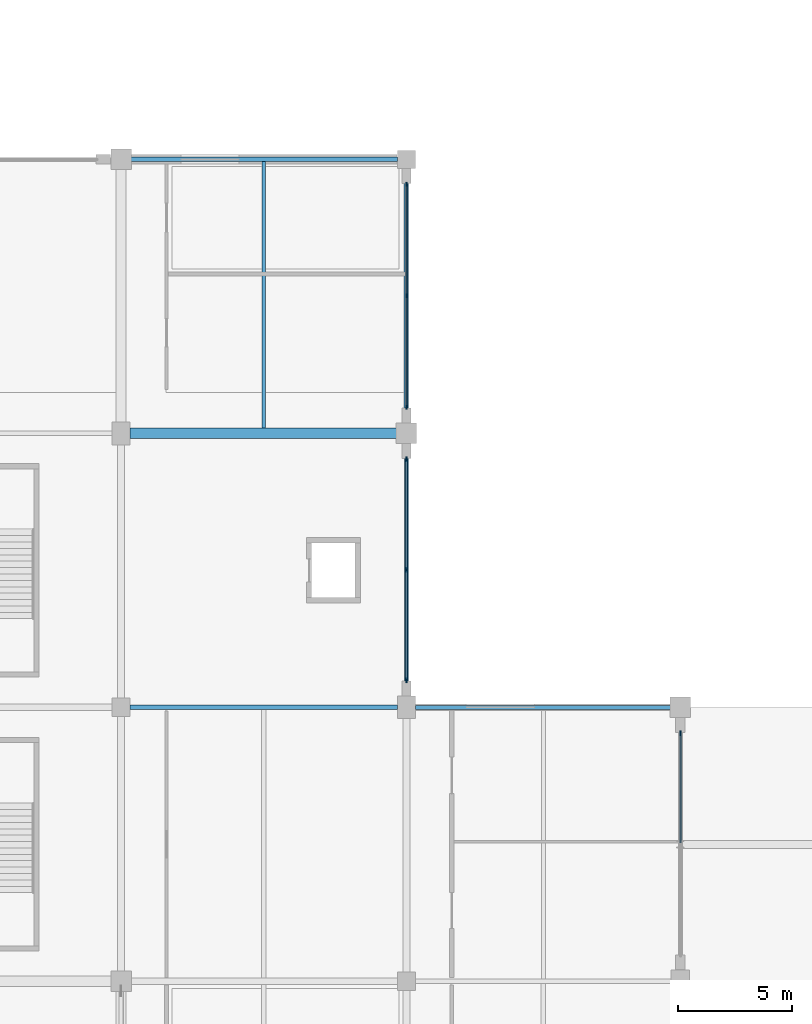
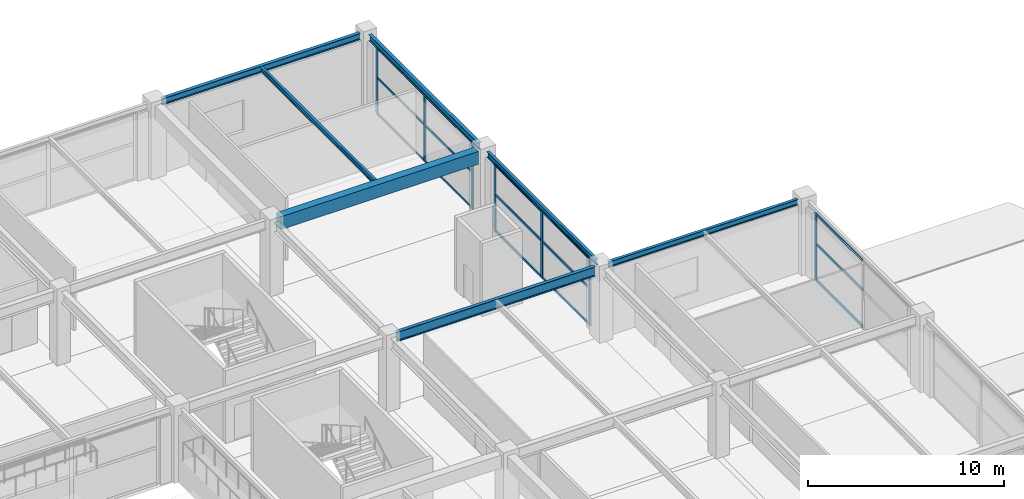
# One storey, part 64 of 134: 22 members, 7 beams, 3 elements without a shape of their own.
"""IFC4 building model written with IfcOpenShell, lengths in metres."""

import ifcopenshell
import ifcopenshell.guid

model = None  # the IFC model being written
_history = None  # IfcOwnerHistory: only IFC2X3 demands one
_inside = {}  # id of a spatial element -> (the spatial element, [elements in it])
_under = {}  # id of a project, library or spatial element -> (it, [spatial elements below it])
_declared = {}  # id of a project -> (the project, [libraries it declares])
_typed = {}  # id of a type object -> (the type object, [elements of that type])
_made_of = {}  # id of a material, layer set ... -> (it, [elements and type objects made of it])


def new_model(schema):
    """Start an empty IFC model of exactly this schema.

    Asked for "IFC4X3", IfcOpenShell would pick the latest addendum, in which some entities
    have other attributes; the version numbers below select the first issue.
    IFC2X3 requires an IfcOwnerHistory on every rooted entity: one is made here for all.
    """
    global model, _history
    if schema == "IFC4X3":
        model = ifcopenshell.file(schema_version=(4, 3, 0, 0))
    else:
        model = ifcopenshell.file(schema=schema)
    _inside.clear()
    _under.clear()
    _declared.clear()
    _typed.clear()
    _made_of.clear()
    _history = None
    if model.schema == "IFC2X3":
        org = make("IfcOrganization", Name="unknown")
        user = make(
            "IfcPersonAndOrganization",
            ThePerson=make("IfcPerson", FamilyName="unknown"),
            TheOrganization=org,
        )
        app = make(
            "IfcApplication",
            ApplicationDeveloper=org,
            Version="unknown",
            ApplicationFullName="unknown",
            ApplicationIdentifier="unknown",
        )
        _history = make(
            "IfcOwnerHistory",
            OwningUser=user,
            OwningApplication=app,
            ChangeAction="ADDED",
            CreationDate=0,
        )
    return model


def make(cls, **values):
    """One entity of the class cls with the attributes given. An attribute that is None is left unset."""
    return model.create_entity(
        cls, **{name: value for name, value in values.items() if value is not None}
    )


def rooted(cls, **values):
    """An entity with a GlobalId (a new one), such as an element, a storey or a relation."""
    return make(cls, GlobalId=ifcopenshell.guid.new(), OwnerHistory=_history, **values)


def si_unit(unit_type, name, prefix=None):
    """IfcSIUnit, for example si_unit("LENGTHUNIT", "METRE", prefix="MILLI")."""
    return make("IfcSIUnit", UnitType=unit_type, Prefix=prefix, Name=name)


def assignment(units):
    """IfcUnitAssignment: the units of a project."""
    return None if units is None else make("IfcUnitAssignment", Units=units)


def point(xyz):
    """IfcCartesianPoint."""
    return None if xyz is None else make("IfcCartesianPoint", Coordinates=xyz)


def direction(xyz):
    """IfcDirection."""
    return None if xyz is None else make("IfcDirection", DirectionRatios=xyz)


def frame(location, z_axis=None, x_axis=None):
    """IfcAxis2Placement3D, a coordinate frame: its origin and axes. An axis left out is left unset."""
    return make(
        "IfcAxis2Placement3D",
        Location=point(location),
        Axis=direction(z_axis),
        RefDirection=direction(x_axis),
    )


def frame_2d(location, x_axis=None):
    """IfcAxis2Placement2D, a coordinate frame in the plane: its origin and x axis."""
    return make(
        "IfcAxis2Placement2D", Location=point(location), RefDirection=direction(x_axis)
    )


def origin():
    """The frame at (0, 0, 0) with its axes left unset."""
    return frame((0.0, 0.0, 0.0))


def origin_2d():
    """The frame at (0, 0) in the plane with its x axis left unset."""
    return frame_2d((0.0, 0.0))


def place(relative_to, where):
    """IfcLocalPlacement: puts the frame where relative to a parent placement (None: the world)."""
    return make(
        "IfcLocalPlacement", PlacementRelTo=relative_to, RelativePlacement=where
    )


def context(
    kind, dimensions, precision=None, world=None, true_north=None, identifier=None
):
    """IfcGeometricRepresentationContext, for example the 3D "Model" context."""
    return make(
        "IfcGeometricRepresentationContext",
        ContextIdentifier=identifier,
        ContextType=kind,
        CoordinateSpaceDimension=dimensions,
        Precision=precision,
        WorldCoordinateSystem=world,
        TrueNorth=true_north,
    )


def subcontext(parent, identifier, kind, view, scale=None):
    """IfcGeometricRepresentationSubContext, for example "Body" below "Model"."""
    return make(
        "IfcGeometricRepresentationSubContext",
        ContextIdentifier=identifier,
        ContextType=kind,
        ParentContext=parent,
        TargetScale=scale,
        TargetView=view,
    )


def project(units=None, contexts=None):
    """IfcProject with its units and contexts."""
    return rooted(
        "IfcProject",
        Name="project",
        RepresentationContexts=contexts,
        UnitsInContext=assignment(units),
    )


def spatial(cls, under=None, at=None, **own):
    """A site, building, storey or space (cls), placed at a placement, below another one or the project."""
    s = rooted(cls, ObjectPlacement=at, **own)
    if under is not None:
        _under.setdefault(under.id(), (under, []))[1].append(s)
    return s


def profile(cls, at=None, kind="AREA", **sizes):
    """A parametric profile (cls). Its sizes go by their IFC names, for example OverallWidth=200.0."""
    return make(cls, ProfileType=kind, Position=at, **sizes)


def rectangle(**sizes):
    """IfcRectangleProfileDef."""
    return profile("IfcRectangleProfileDef", **sizes)


def i_section(**sizes):
    """IfcIShapeProfileDef."""
    return profile("IfcIShapeProfileDef", **sizes)


def extrude(swept, where, along, depth):
    """IfcExtrudedAreaSolid: the profile swept, set in the frame where, extruded along a direction by depth."""
    return make(
        "IfcExtrudedAreaSolid",
        SweptArea=swept,
        Position=where,
        ExtrudedDirection=direction(along),
        Depth=depth,
    )


def shape(context_of_items, identifier, shape_type, items):
    """IfcShapeRepresentation: the items that make up one representation, for example the "Body"."""
    return make(
        "IfcShapeRepresentation",
        ContextOfItems=context_of_items,
        RepresentationIdentifier=identifier,
        RepresentationType=shape_type,
        Items=items,
    )


def material(Name=None, Category=None):
    """IfcMaterial."""
    return make("IfcMaterial", Name=Name, Category=Category)


def layer(
    of_material, thickness, ventilated=None, Name=None, Category=None, Priority=None
):
    """IfcMaterialLayer: one layer of a wall or slab, of a material (None: an air gap)."""
    return make(
        "IfcMaterialLayer",
        Material=of_material,
        LayerThickness=thickness,
        IsVentilated=ventilated,
        Name=Name,
        Category=Category,
        Priority=Priority,
    )


def layer_set(layers, Name=None):
    """IfcMaterialLayerSet."""
    return make("IfcMaterialLayerSet", MaterialLayers=layers, LayerSetName=Name)


def material_profile(
    of_material, cross_section, Name=None, Category=None, Priority=None
):
    """IfcMaterialProfile: a cross section and its material."""
    return make(
        "IfcMaterialProfile",
        Name=Name,
        Material=of_material,
        Profile=cross_section,
        Priority=Priority,
        Category=Category,
    )


def profile_set(profiles, Name=None, composite=None):
    """IfcMaterialProfileSet."""
    return make(
        "IfcMaterialProfileSet",
        Name=Name,
        MaterialProfiles=profiles,
        CompositeProfile=composite,
    )


def made_of(thing, what):
    """Note that an element or type object is made of a material, layer set ...; save() writes the relation."""
    if what is not None:
        _made_of.setdefault(what.id(), (what, []))[1].append(thing)
    return thing


def type_object(cls, material=None, **own):
    """A type object (cls), such as IfcWallType, which elements share."""
    return made_of(rooted(cls, **own), material)


def element(
    cls,
    number,
    at=None,
    inside=None,
    cuts=None,
    type_object=None,
    material=None,
    context=None,
    identifier="Body",
    shape_type=None,
    held_by="IfcProductDefinitionShape",
    body=None,
    shapes=None,
    **own,
):
    """One element of the class cls, such as IfcWall. Its Tag is "e" and its number.

    at: its placement. inside: the storey or other place that contains it. cuts: it is an
    opening in that element (IfcRelVoidsElement). A single representation is given by context,
    identifier, shape_type and body (its items); several are given by shapes. held_by: the class
    of the entity that holds the representations. save() writes the other relations.
    """
    e = rooted(cls, Tag="e%d" % number, ObjectPlacement=at, **own)
    if body is not None:
        shapes = [shape(context, identifier, shape_type, body)]
    if shapes is not None:
        e.Representation = make(held_by, Representations=shapes)
    if inside is not None:
        _inside.setdefault(inside.id(), (inside, []))[1].append(e)
    if cuts is not None:
        rooted(
            "IfcRelVoidsElement", RelatingBuildingElement=cuts, RelatedOpeningElement=e
        )
    if type_object is not None:
        _typed.setdefault(type_object.id(), (type_object, []))[1].append(e)
    return made_of(e, material)


def aggregate(whole, parts):
    """IfcRelAggregates: a whole, such as a stair, and the parts it consists of."""
    return rooted("IfcRelAggregates", RelatingObject=whole, RelatedObjects=parts)


def save(model, path):
    """Write the relations noted so far, then the file.

    IfcRelAggregates (storeys below a building ...), IfcRelContainedInSpatialStructure (elements
    in a storey), IfcRelDefinesByType, IfcRelAssociatesMaterial and IfcRelDeclares: one each for
    every whole, place, type object, material and project.
    """
    for whole, parts in _under.values():
        aggregate(whole, parts)
    for where, things in _inside.values():
        rooted(
            "IfcRelContainedInSpatialStructure",
            RelatedElements=things,
            RelatingStructure=where,
        )
    for kind, things in _typed.values():
        rooted("IfcRelDefinesByType", RelatedObjects=things, RelatingType=kind)
    for what, things in _made_of.values():
        rooted("IfcRelAssociatesMaterial", RelatedObjects=things, RelatingMaterial=what)
    for by, libraries in _declared.values():
        rooted("IfcRelDeclares", RelatingContext=by, RelatedDefinitions=libraries)
    model.write(path)


model = new_model("IFC4")

# Units and contexts
model_context = context("Model", 3, precision=1e-05, world=origin(), true_north=direction((0.0, 1.0)))
body_context = subcontext(model_context, "Body", "Model", "MODEL_VIEW")
ifc_project = project(units=[si_unit("LENGTHUNIT", "METRE"), si_unit("AREAUNIT", "SQUARE_METRE"), si_unit("VOLUMEUNIT", "CUBIC_METRE"), si_unit("PLANEANGLEUNIT", "RADIAN"), si_unit("MASSUNIT", "GRAM", prefix="KILO")], contexts=[model_context])

# Site, building, storey
site_placement = place(None, origin())
site = spatial("IfcSite", under=ifc_project, at=site_placement, CompositionType="ELEMENT")
building_placement = place(site_placement, origin())
building = spatial("IfcBuilding", under=site, at=building_placement, Name="Kazenohara Klinker Stadium", CompositionType="ELEMENT")
storey_placement = place(building_placement, frame((0.0, 0.0, 5.39990234375)))
storey = spatial("IfcBuildingStorey", under=building, at=storey_placement, Name="L01", CompositionType="ELEMENT", Elevation=5.39990234375)

# Beams
ifc_material_1 = material(Name="Steel S355", Category="steel")
ifc_material_profile_1 = material_profile(ifc_material_1, i_section(OverallWidth=0.14990234375, OverallDepth=0.300048828125, WebThickness=0.006591796875, FlangeThickness=0.009033203125, FilletRadius=0.012939453125, at=origin_2d()), Name="H-300x150x6.5x9")
ifc_profile_set_1 = profile_set([ifc_material_profile_1], Name="Steel S355")
beam_type_1 = type_object("IfcBeamType", Name="BM-JST05", PredefinedType="JOIST", material=ifc_profile_set_1)
beam_1_placement = place(storey_placement, frame((193.75, 144.22509765625, 4.400146484375), z_axis=(0.0, 1.0, 0.0), x_axis=(-1.0, 0.0, 0.0)))
element("IfcBeam", 1, at=beam_1_placement, inside=storey, type_object=beam_type_1, Name="Secondary floor joist SJ05 L01 16/N", PredefinedType="JOIST", context=body_context, shape_type="SweptSolid", body=[
    extrude(i_section(OverallWidth=0.14990234375, OverallDepth=0.300048828125, WebThickness=0.006591796875, FlangeThickness=0.009033203125, FilletRadius=0.012939453125, at=origin_2d()), origin(), (0.0, 0.0, 1.0), 11.6748046875),
])
ifc_material_2 = material(Name="Concrete C40/50", Category="concrete")
ifc_material_profile_2 = material_profile(ifc_material_2, rectangle(XDim=0.449951171875, YDim=0.800048828125, at=origin_2d()), Name="RC-BM-450x800")
ifc_profile_set_2 = profile_set([ifc_material_profile_2], Name="Concrete C40/50")
beam_type_2 = type_object("IfcBeamType", Name="BM-RC03", PredefinedType="BEAM", material=ifc_profile_set_2)
beam_2_placement = place(storey_placement, frame((187.89990234375, 144.0, 4.150146484375), z_axis=(1.0, 0.0, 0.0), x_axis=(0.0, 1.0, 0.0)))
element("IfcBeam", 2, at=beam_2_placement, inside=storey, type_object=beam_type_2, Name="Primary girder BG03 L01 16-17/N", PredefinedType="BEAM", context=body_context, shape_type="SweptSolid", body=[
    extrude(rectangle(XDim=0.449951171875, YDim=0.800048828125, at=origin_2d()), origin(), (0.0, 0.0, 1.0), 11.68017578125),
])
ifc_material_profile_3 = material_profile(ifc_material_1, i_section(OverallWidth=0.199951171875, OverallDepth=0.39990234375, WebThickness=0.008056640625, FlangeThickness=0.012939453125, FilletRadius=0.012939453125, at=origin_2d()), Name="H-400x200x8x13")
ifc_profile_set_3 = profile_set([ifc_material_profile_3], Name="Steel S355")
beam_type_3 = type_object("IfcBeamType", Name="BM-SPD01", PredefinedType="SPANDREL", material=ifc_profile_set_3)
beam_3_placement = place(storey_placement, frame((187.919921875, 156.0, 4.35009765625), z_axis=(1.0, 0.0, 0.0), x_axis=(0.0, 1.0, 0.0)))
element("IfcBeam", 3, at=beam_3_placement, inside=storey, type_object=beam_type_3, Name="Primary girder SP01 L01 16-17/P", PredefinedType="SPANDREL", context=body_context, shape_type="SweptSolid", body=[
    extrude(i_section(OverallWidth=0.199951171875, OverallDepth=0.39990234375, WebThickness=0.008056640625, FlangeThickness=0.012939453125, FilletRadius=0.012939453125, at=origin_2d()), origin(), (0.0, 0.0, 1.0), 11.68017578125),
])
beam_4_placement = place(storey_placement, frame((200.0, 144.419921875, 4.35009765625), z_axis=(0.0, 1.0, 0.0), x_axis=(-1.0, 0.0, 0.0)))
element("IfcBeam", 4, at=beam_4_placement, inside=storey, type_object=beam_type_3, Name="Primary girder SP01 L01 17/N-P", PredefinedType="SPANDREL", context=body_context, shape_type="SweptSolid", body=[
    extrude(i_section(OverallWidth=0.199951171875, OverallDepth=0.39990234375, WebThickness=0.008056640625, FlangeThickness=0.012939453125, FilletRadius=0.012939453125, at=origin_2d()), origin(), (0.0, 0.0, 1.0), 11.18017578125),
])
ifc_material_profile_4 = material_profile(ifc_material_1, i_section(OverallWidth=0.175048828125, OverallDepth=0.35009765625, WebThickness=0.007080078125, FlangeThickness=0.010986328125, FilletRadius=0.012939453125, at=origin_2d()), Name="H-350x175x7x11")
ifc_profile_set_4 = profile_set([ifc_material_profile_4], Name="Steel S355")
beam_type_4 = type_object("IfcBeamType", Name="BM-SPD02", PredefinedType="SPANDREL", material=ifc_profile_set_4)
beam_5_placement = place(storey_placement, frame((200.39990234375, 132.0, 4.375), z_axis=(1.0, 0.0, 0.0), x_axis=(0.0, 1.0, 0.0)))
element("IfcBeam", 5, at=beam_5_placement, inside=storey, type_object=beam_type_4, Name="Primary girder SP02 L01 17-18/M", PredefinedType="SPANDREL", context=body_context, shape_type="SweptSolid", body=[
    extrude(i_section(OverallWidth=0.175048828125, OverallDepth=0.35009765625, WebThickness=0.007080078125, FlangeThickness=0.010986328125, FilletRadius=0.012939453125, at=origin_2d()), origin(), (0.0, 0.0, 1.0), 11.18017578125),
])
beam_6_placement = place(storey_placement, frame((200.0, 132.419921875, 4.375), z_axis=(0.0, 1.0, 0.0), x_axis=(-1.0, 0.0, 0.0)))
element("IfcBeam", 6, at=beam_6_placement, inside=storey, type_object=beam_type_4, Name="Primary girder SP02 L01 17/M-N", PredefinedType="SPANDREL", context=body_context, shape_type="SweptSolid", body=[
    extrude(i_section(OverallWidth=0.175048828125, OverallDepth=0.35009765625, WebThickness=0.007080078125, FlangeThickness=0.010986328125, FilletRadius=0.012939453125, at=origin_2d()), origin(), (0.0, 0.0, 1.0), 11.16015625),
])
ifc_material_profile_5 = material_profile(ifc_material_1, i_section(OverallWidth=0.199951171875, OverallDepth=0.60009765625, WebThickness=0.010986328125, FlangeThickness=0.01708984375, FilletRadius=0.012939453125, at=origin_2d()), Name="H-600x200x11x17")
ifc_profile_set_5 = profile_set([ifc_material_profile_5], Name="Steel S355")
beam_type_5 = type_object("IfcBeamType", Name="BM-ST04", PredefinedType="BEAM", material=ifc_profile_set_5)
beam_7_placement = place(storey_placement, frame((187.89990234375, 132.0, 4.25), z_axis=(1.0, 0.0, 0.0), x_axis=(0.0, 1.0, 0.0)))
element("IfcBeam", 7, at=beam_7_placement, inside=storey, type_object=beam_type_5, Name="Primary girder SB04 L01 16-17/M", PredefinedType="BEAM", context=body_context, shape_type="SweptSolid", body=[
    extrude(i_section(OverallWidth=0.199951171875, OverallDepth=0.60009765625, WebThickness=0.010986328125, FlangeThickness=0.01708984375, FilletRadius=0.012939453125, at=origin_2d()), origin(), (0.0, 0.0, 1.0), 11.7001953125),
])

# Curtain wall, members
ifc_material_3 = material(Name="Anodised aluminium and triple glazing", Category="aluminium")
ifc_layer_1 = layer(ifc_material_3, 0.159912109375)
ifc_layer_set_1 = layer_set([ifc_layer_1], Name="Anodised aluminium and triple glazing")
curtain_wall_type_1 = type_object("IfcCurtainWallType", Name="CW-SYS-01", PredefinedType="USERDEFINED", material=ifc_layer_set_1)
curtain_wall_1_placement = place(storey_placement, origin())
curtain_wall_1 = element("IfcCurtainWall", 8, at=curtain_wall_1_placement, inside=storey, type_object=curtain_wall_type_1, Name="Unitised facade curtain wall CW01 L01 Y16-12", ObjectType="UNITISED CURTAIN WALL", PredefinedType="USERDEFINED")
ifc_material_4 = material(Name="Anodised aluminium 6063-T6", Category="aluminium")
ifc_material_profile_6 = material_profile(ifc_material_4, rectangle(XDim=0.06494140625, YDim=0.179931640625, at=origin_2d()), Name="ALU-MUL-65x180")
ifc_profile_set_6 = profile_set([ifc_material_profile_6], Name="Anodised aluminium 6063-T6")
member_type_1 = type_object("IfcMemberType", Name="CW-MUL-180", PredefinedType="MULLION", material=ifc_profile_set_6)
member_1_placement = place(storey_placement, frame((200.0, 145.136474609375, 0.0), z_axis=(0.0, 0.0, 1.0), x_axis=(-1.0, 0.0, 0.0)))
member_1 = element("IfcMember", 9, at=member_1_placement, type_object=member_type_1, Name="CW01 mullion 1", PredefinedType="MULLION", context=body_context, shape_type="SweptSolid", body=[
    extrude(rectangle(XDim=0.06494140625, YDim=0.179931640625, at=origin_2d()), origin(), (0.0, 0.0, 1.0), 4.150146484375),
])
member_2_placement = place(storey_placement, frame((200.0, 150.02490234375, 0.0), z_axis=(0.0, 0.0, 1.0), x_axis=(-1.0, 0.0, 0.0)))
member_2 = element("IfcMember", 10, at=member_2_placement, type_object=member_type_1, Name="CW01 mullion 2", PredefinedType="MULLION", context=body_context, shape_type="SweptSolid", body=[
    extrude(rectangle(XDim=0.06494140625, YDim=0.179931640625, at=origin_2d()), origin(), (0.0, 0.0, 1.0), 4.150146484375),
])
member_3_placement = place(storey_placement, frame((200.0, 154.91357421875, 0.0), z_axis=(0.0, 0.0, 1.0), x_axis=(-1.0, 0.0, 0.0)))
member_3 = element("IfcMember", 11, at=member_3_placement, type_object=member_type_1, Name="CW01 mullion 3", PredefinedType="MULLION", context=body_context, shape_type="SweptSolid", body=[
    extrude(rectangle(XDim=0.06494140625, YDim=0.179931640625, at=origin_2d()), origin(), (0.0, 0.0, 1.0), 4.150146484375),
])

ifc_layer_2 = layer(ifc_material_3, 0.18994140625)
ifc_layer_set_2 = layer_set([ifc_layer_2], Name="Anodised aluminium and triple glazing")
curtain_wall_type_2 = type_object("IfcCurtainWallType", Name="CW-SYS-05", PredefinedType="USERDEFINED", material=ifc_layer_set_2)
curtain_wall_2_placement = place(storey_placement, origin())
curtain_wall_2 = element("IfcCurtainWall", 12, at=curtain_wall_2_placement, inside=storey, type_object=curtain_wall_type_2, Name="Unitised facade curtain wall CW05 L01 Y16-11", ObjectType="UNITISED CURTAIN WALL", PredefinedType="USERDEFINED")
ifc_material_profile_7 = material_profile(ifc_material_4, rectangle(XDim=0.074951171875, YDim=0.219970703125, at=origin_2d()), Name="ALU-MUL-75x220")
ifc_profile_set_7 = profile_set([ifc_material_profile_7], Name="Anodised aluminium 6063-T6")
member_type_2 = type_object("IfcMemberType", Name="CW-MUL-220", PredefinedType="MULLION", material=ifc_profile_set_7)
member_4_placement = place(storey_placement, frame((200.0, 133.19140625, 0.0), z_axis=(0.0, 0.0, 1.0), x_axis=(-1.0, 0.0, 0.0)))
member_4 = element("IfcMember", 13, at=member_4_placement, type_object=member_type_2, Name="CW05 mullion 1", PredefinedType="MULLION", context=body_context, shape_type="SweptSolid", body=[
    extrude(rectangle(XDim=0.074951171875, YDim=0.219970703125, at=origin_2d()), origin(), (0.0, 0.0, 1.0), 4.2001953125),
])
member_5_placement = place(storey_placement, frame((200.0, 138.02490234375, 0.0), z_axis=(0.0, 0.0, 1.0), x_axis=(-1.0, 0.0, 0.0)))
member_5 = element("IfcMember", 14, at=member_5_placement, type_object=member_type_2, Name="CW05 mullion 2", PredefinedType="MULLION", context=body_context, shape_type="SweptSolid", body=[
    extrude(rectangle(XDim=0.074951171875, YDim=0.219970703125, at=origin_2d()), origin(), (0.0, 0.0, 1.0), 4.2001953125),
])
member_6_placement = place(storey_placement, frame((200.0, 142.8583984375, 0.0), z_axis=(0.0, 0.0, 1.0), x_axis=(-1.0, 0.0, 0.0)))
member_6 = element("IfcMember", 15, at=member_6_placement, type_object=member_type_2, Name="CW05 mullion 3", PredefinedType="MULLION", context=body_context, shape_type="SweptSolid", body=[
    extrude(rectangle(XDim=0.074951171875, YDim=0.219970703125, at=origin_2d()), origin(), (0.0, 0.0, 1.0), 4.2001953125),
])

# Curtain wall, member
curtain_wall_3_placement = place(storey_placement, origin())
curtain_wall_3 = element("IfcCurtainWall", 16, at=curtain_wall_3_placement, inside=storey, type_object=curtain_wall_type_1, Name="Unitised facade curtain wall CW01 L01 Y17-10", ObjectType="UNITISED CURTAIN WALL", PredefinedType="USERDEFINED")
member_7_placement = place(storey_placement, frame((212.0, 130.8583984375, 0.0), z_axis=(0.0, 0.0, 1.0), x_axis=(-1.0, 0.0, 0.0)))
member_7 = element("IfcMember", 17, at=member_7_placement, type_object=member_type_2, Name="CW01 mullion 3", PredefinedType="MULLION", context=body_context, shape_type="SweptSolid", body=[
    extrude(rectangle(XDim=0.074951171875, YDim=0.219970703125, at=origin_2d()), origin(), (0.0, 0.0, 1.0), 4.2001953125),
])

# Member
ifc_material_profile_8 = material_profile(ifc_material_4, rectangle(XDim=0.06494140625, YDim=0.139892578125, at=origin_2d()), Name="ALU-TRN-65x140")
ifc_profile_set_8 = profile_set([ifc_material_profile_8], Name="Anodised aluminium 6063-T6")
member_type_3 = type_object("IfcMemberType", Name="CW-TRN-140", PredefinedType="USERDEFINED", material=ifc_profile_set_8)
member_8_placement = place(storey_placement, frame((200.0, 145.1689453125, 0.03271484375), z_axis=(0.0, 1.0, 0.0), x_axis=(-1.0, 0.0, 0.0)))
member_8 = element("IfcMember", 18, at=member_8_placement, type_object=member_type_3, Name="CW01 transom 1.1", ObjectType="TRANSOM", PredefinedType="USERDEFINED", context=body_context, shape_type="SweptSolid", body=[
    extrude(rectangle(XDim=0.06494140625, YDim=0.139892578125, at=origin_2d()), origin(), (0.0, 0.0, 1.0), 4.823486328125),
])

member_9_placement = place(storey_placement, frame((200.0, 145.1689453125, 2.28271484375), z_axis=(0.0, 1.0, 0.0), x_axis=(-1.0, 0.0, 0.0)))
member_9 = element("IfcMember", 19, at=member_9_placement, type_object=member_type_3, Name="CW01 transom 1.2", ObjectType="TRANSOM", PredefinedType="USERDEFINED", context=body_context, shape_type="SweptSolid", body=[
    extrude(rectangle(XDim=0.06494140625, YDim=0.139892578125, at=origin_2d()), origin(), (0.0, 0.0, 1.0), 4.823486328125),
])

member_10_placement = place(storey_placement, frame((200.0, 145.1689453125, 4.11767578125), z_axis=(0.0, 1.0, 0.0), x_axis=(-1.0, 0.0, 0.0)))
member_10 = element("IfcMember", 20, at=member_10_placement, type_object=member_type_3, Name="CW01 transom 1.3", ObjectType="TRANSOM", PredefinedType="USERDEFINED", context=body_context, shape_type="SweptSolid", body=[
    extrude(rectangle(XDim=0.06494140625, YDim=0.139892578125, at=origin_2d()), origin(), (0.0, 0.0, 1.0), 4.823486328125),
])

member_11_placement = place(storey_placement, frame((200.0, 150.0576171875, 0.03271484375), z_axis=(0.0, 1.0, 0.0), x_axis=(-1.0, 0.0, 0.0)))
member_11 = element("IfcMember", 21, at=member_11_placement, type_object=member_type_3, Name="CW01 transom 2.1", ObjectType="TRANSOM", PredefinedType="USERDEFINED", context=body_context, shape_type="SweptSolid", body=[
    extrude(rectangle(XDim=0.06494140625, YDim=0.139892578125, at=origin_2d()), origin(), (0.0, 0.0, 1.0), 4.823486328125),
])

member_12_placement = place(storey_placement, frame((200.0, 150.0576171875, 2.28271484375), z_axis=(0.0, 1.0, 0.0), x_axis=(-1.0, 0.0, 0.0)))
member_12 = element("IfcMember", 22, at=member_12_placement, type_object=member_type_3, Name="CW01 transom 2.2", ObjectType="TRANSOM", PredefinedType="USERDEFINED", context=body_context, shape_type="SweptSolid", body=[
    extrude(rectangle(XDim=0.06494140625, YDim=0.139892578125, at=origin_2d()), origin(), (0.0, 0.0, 1.0), 4.823486328125),
])

member_13_placement = place(storey_placement, frame((200.0, 150.0576171875, 4.11767578125), z_axis=(0.0, 1.0, 0.0), x_axis=(-1.0, 0.0, 0.0)))
member_13 = element("IfcMember", 23, at=member_13_placement, type_object=member_type_3, Name="CW01 transom 2.3", ObjectType="TRANSOM", PredefinedType="USERDEFINED", context=body_context, shape_type="SweptSolid", body=[
    extrude(rectangle(XDim=0.06494140625, YDim=0.139892578125, at=origin_2d()), origin(), (0.0, 0.0, 1.0), 4.823486328125),
])

aggregate(curtain_wall_1, [member_1, member_2, member_3, member_8, member_9, member_10, member_11, member_12, member_13])

ifc_material_profile_9 = material_profile(ifc_material_4, rectangle(XDim=0.074951171875, YDim=0.159912109375, at=origin_2d()), Name="ALU-TRN-75x160")
ifc_profile_set_9 = profile_set([ifc_material_profile_9], Name="Anodised aluminium 6063-T6")
member_type_4 = type_object("IfcMemberType", Name="CW-TRN-160", PredefinedType="USERDEFINED", material=ifc_profile_set_9)
member_14_placement = place(storey_placement, frame((200.0, 133.22900390625, 0.03759765625), z_axis=(0.0, 1.0, 0.0), x_axis=(-1.0, 0.0, 0.0)))
member_14 = element("IfcMember", 24, at=member_14_placement, type_object=member_type_4, Name="CW05 transom 1.1", ObjectType="TRANSOM", PredefinedType="USERDEFINED", context=body_context, shape_type="SweptSolid", body=[
    extrude(rectangle(XDim=0.074951171875, YDim=0.159912109375, at=origin_2d()), origin(), (0.0, 0.0, 1.0), 4.758544921875),
])

member_15_placement = place(storey_placement, frame((200.0, 133.22900390625, 2.31005859375), z_axis=(0.0, 1.0, 0.0), x_axis=(-1.0, 0.0, 0.0)))
member_15 = element("IfcMember", 25, at=member_15_placement, type_object=member_type_4, Name="CW05 transom 1.2", ObjectType="TRANSOM", PredefinedType="USERDEFINED", context=body_context, shape_type="SweptSolid", body=[
    extrude(rectangle(XDim=0.074951171875, YDim=0.159912109375, at=origin_2d()), origin(), (0.0, 0.0, 1.0), 4.758544921875),
])

member_16_placement = place(storey_placement, frame((200.0, 133.22900390625, 4.16259765625), z_axis=(0.0, 1.0, 0.0), x_axis=(-1.0, 0.0, 0.0)))
member_16 = element("IfcMember", 26, at=member_16_placement, type_object=member_type_4, Name="CW05 transom 1.3", ObjectType="TRANSOM", PredefinedType="USERDEFINED", context=body_context, shape_type="SweptSolid", body=[
    extrude(rectangle(XDim=0.074951171875, YDim=0.159912109375, at=origin_2d()), origin(), (0.0, 0.0, 1.0), 4.758544921875),
])

member_17_placement = place(storey_placement, frame((200.0, 138.0625, 0.03759765625), z_axis=(0.0, 1.0, 0.0), x_axis=(-1.0, 0.0, 0.0)))
member_17 = element("IfcMember", 27, at=member_17_placement, type_object=member_type_4, Name="CW05 transom 2.1", ObjectType="TRANSOM", PredefinedType="USERDEFINED", context=body_context, shape_type="SweptSolid", body=[
    extrude(rectangle(XDim=0.074951171875, YDim=0.159912109375, at=origin_2d()), origin(), (0.0, 0.0, 1.0), 4.758544921875),
])

member_18_placement = place(storey_placement, frame((200.0, 138.0625, 2.31005859375), z_axis=(0.0, 1.0, 0.0), x_axis=(-1.0, 0.0, 0.0)))
member_18 = element("IfcMember", 28, at=member_18_placement, type_object=member_type_4, Name="CW05 transom 2.2", ObjectType="TRANSOM", PredefinedType="USERDEFINED", context=body_context, shape_type="SweptSolid", body=[
    extrude(rectangle(XDim=0.074951171875, YDim=0.159912109375, at=origin_2d()), origin(), (0.0, 0.0, 1.0), 4.758544921875),
])

member_19_placement = place(storey_placement, frame((200.0, 138.0625, 4.16259765625), z_axis=(0.0, 1.0, 0.0), x_axis=(-1.0, 0.0, 0.0)))
member_19 = element("IfcMember", 29, at=member_19_placement, type_object=member_type_4, Name="CW05 transom 2.3", ObjectType="TRANSOM", PredefinedType="USERDEFINED", context=body_context, shape_type="SweptSolid", body=[
    extrude(rectangle(XDim=0.074951171875, YDim=0.159912109375, at=origin_2d()), origin(), (0.0, 0.0, 1.0), 4.758544921875),
])

aggregate(curtain_wall_2, [member_4, member_5, member_6, member_14, member_15, member_16, member_17, member_18, member_19])

member_20_placement = place(storey_placement, frame((212.0, 126.0625, 0.03759765625), z_axis=(0.0, 1.0, 0.0), x_axis=(-1.0, 0.0, 0.0)))
member_20 = element("IfcMember", 30, at=member_20_placement, type_object=member_type_4, Name="CW01 transom 2.1", ObjectType="TRANSOM", PredefinedType="USERDEFINED", context=body_context, shape_type="SweptSolid", body=[
    extrude(rectangle(XDim=0.074951171875, YDim=0.159912109375, at=origin_2d()), origin(), (0.0, 0.0, 1.0), 4.758544921875),
])

member_21_placement = place(storey_placement, frame((212.0, 126.0625, 2.31005859375), z_axis=(0.0, 1.0, 0.0), x_axis=(-1.0, 0.0, 0.0)))
member_21 = element("IfcMember", 31, at=member_21_placement, type_object=member_type_4, Name="CW01 transom 2.2", ObjectType="TRANSOM", PredefinedType="USERDEFINED", context=body_context, shape_type="SweptSolid", body=[
    extrude(rectangle(XDim=0.074951171875, YDim=0.159912109375, at=origin_2d()), origin(), (0.0, 0.0, 1.0), 4.758544921875),
])

member_22_placement = place(storey_placement, frame((212.0, 126.0625, 4.16259765625), z_axis=(0.0, 1.0, 0.0), x_axis=(-1.0, 0.0, 0.0)))
member_22 = element("IfcMember", 32, at=member_22_placement, type_object=member_type_4, Name="CW01 transom 2.3", ObjectType="TRANSOM", PredefinedType="USERDEFINED", context=body_context, shape_type="SweptSolid", body=[
    extrude(rectangle(XDim=0.074951171875, YDim=0.159912109375, at=origin_2d()), origin(), (0.0, 0.0, 1.0), 4.758544921875),
])

aggregate(curtain_wall_3, [member_7, member_20, member_21, member_22])

save(model, "model.ifc")
